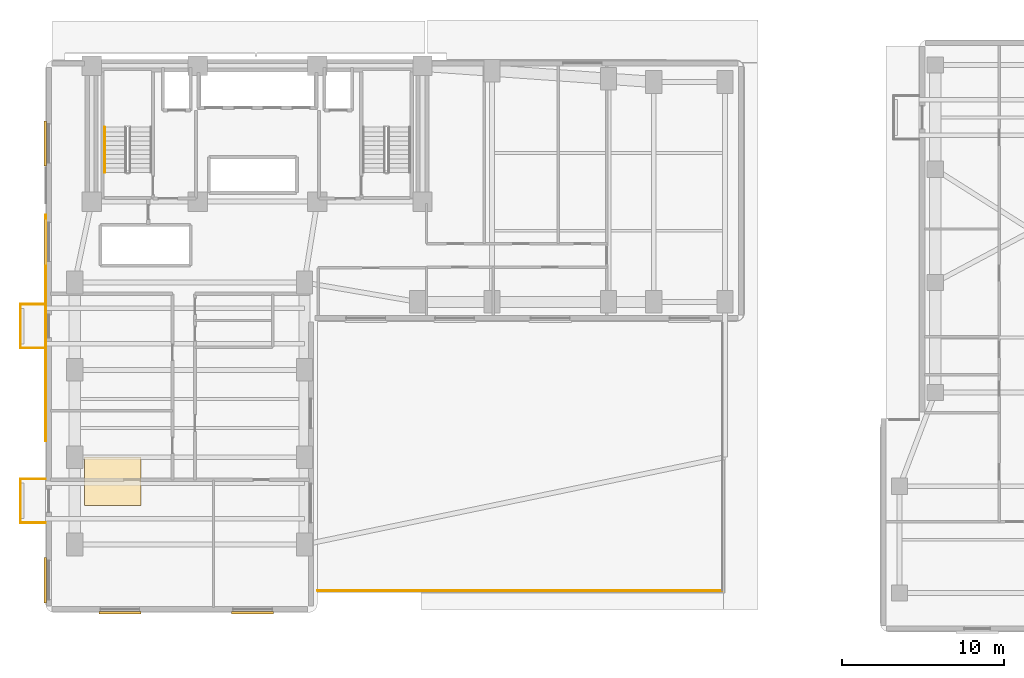
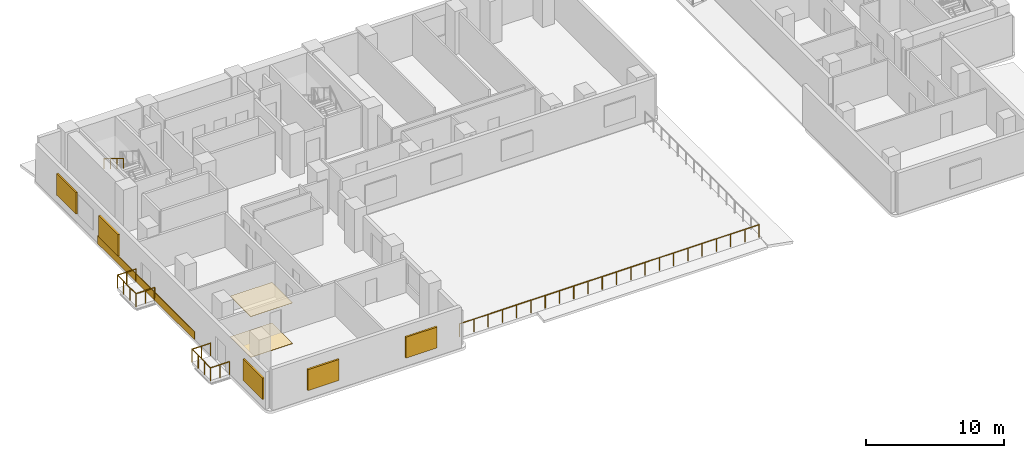
# One storey, part 7 of 10: 8 railings, 5 shading devices, 3 coverings.
"""IFC4 building model written with IfcOpenShell, lengths in metres."""

from ifc_helpers import new_model, si_unit, direction, frame, origin, origin_2d, place, context, subcontext, project, spatial, polyline, rectangle, circle, outline, extrude, material, layer, layer_set, type_object, element, save


model = new_model("IFC4")

# Units and contexts
model_context = context("Model", 3, precision=1e-05, world=origin(), true_north=direction((0.0, 1.0)))
body_context = subcontext(model_context, "Body", "Model", "MODEL_VIEW")
ifc_project = project(units=[si_unit("LENGTHUNIT", "METRE"), si_unit("AREAUNIT", "SQUARE_METRE"), si_unit("VOLUMEUNIT", "CUBIC_METRE"), si_unit("PLANEANGLEUNIT", "RADIAN"), si_unit("MASSUNIT", "GRAM", prefix="KILO")], contexts=[model_context])

# Site, building, storey
site_placement = place(None, origin())
site = spatial("IfcSite", under=ifc_project, at=site_placement, CompositionType="ELEMENT")
building_placement = place(site_placement, origin())
building = spatial("IfcBuilding", under=site, at=building_placement, Name="Kuzgunbayir Cultural Tower", CompositionType="ELEMENT")
storey_placement = place(building_placement, frame((0.0, 0.0, 26.39990234375)))
storey = spatial("IfcBuildingStorey", under=building, at=storey_placement, Name="L06", CompositionType="ELEMENT", Elevation=26.39990234375)

# Coverings
ifc_material_1 = material(Name="Perforated Gypsum Acoustic Tile", Category="gypsum")
ifc_layer_1 = layer(ifc_material_1, 0.02490234375)
ifc_layer_set_1 = layer_set([ifc_layer_1], Name="Perforated Gypsum Acoustic Tile")
covering_type_1 = type_object("IfcCoveringType", Name="COV-CEIL-ACOUSTIC", PredefinedType="CEILING", material=ifc_layer_set_1)
covering_1_placement = place(storey_placement, frame((0.0, 0.0, 3.60009765625)))
element("IfcCovering", 1, at=covering_1_placement, inside=storey, type_object=covering_type_1, Name="L06 Acoustic Soffit Ceiling", PredefinedType="CEILING", context=body_context, shape_type="SweptSolid", body=[
    extrude(outline(polyline([(6.0, 15.0), (9.5, 15.0), (9.5, 18.0), (6.0, 18.0), (6.0, 15.0)])), origin(), (0.0, 0.0, 1.0), 0.02001953125),
])
ifc_material_2 = material(Name="Anatolian Cream Limestone", Category="masonry")
ifc_layer_2 = layer(ifc_material_2, 0.06005859375)
ifc_layer_set_2 = layer_set([ifc_layer_2], Name="Anatolian Cream Limestone")
covering_type_2 = type_object("IfcCoveringType", Name="COV-CLAD-LIMESTONE-6", PredefinedType="CLADDING", material=ifc_layer_set_2)
covering_2_placement = place(storey_placement, frame((3.6201171875, 26.0, 0.0), z_axis=(0.0, 0.0, 1.0), x_axis=(1.0, 0.0, 0.0)))
element("IfcCovering", 2, at=covering_2_placement, inside=storey, type_object=covering_type_2, Name="L06 Architectural Spandrel Cladding Band", PredefinedType="CLADDING", context=body_context, shape_type="SweptSolid", body=[
    extrude(rectangle(XDim=0.06005859375, YDim=14.0, at=origin_2d()), origin(), (0.0, 0.0, 1.0), 0.699951171875),
])
ifc_material_3 = material(Name="Honed Anatolian Marble Terrazzo", Category="masonry")
ifc_layer_3 = layer(ifc_material_3, 0.030029296875)
ifc_layer_set_3 = layer_set([ifc_layer_3], Name="Honed Anatolian Marble Terrazzo")
covering_type_3 = type_object("IfcCoveringType", Name="COV-FLOOR-TERRAZZO", PredefinedType="FLOORING", material=ifc_layer_set_3)
covering_3_placement = place(storey_placement, origin())
element("IfcCovering", 3, at=covering_3_placement, inside=storey, type_object=covering_type_3, Name="L06 Acoustic Floor Finish", PredefinedType="FLOORING", context=body_context, shape_type="SweptSolid", body=[
    extrude(outline(polyline([(6.0, 15.0), (9.5, 15.0), (9.5, 18.0), (6.0, 18.0), (6.0, 15.0)])), origin(), (0.0, 0.0, 1.0), 0.030029296875),
])

# Railings
ifc_material_4 = material(Name="Laminated Glass and Stainless Steel", Category="steel")
ifc_layer_4 = layer(ifc_material_4, 0.080078125)
ifc_layer_set_4 = layer_set([ifc_layer_4], Name="Laminated Glass and Stainless Steel")
railing_type_1 = type_object("IfcRailingType", Name="RLG-BAL-115", PredefinedType="BALUSTRADE", material=ifc_layer_set_4)
railing_1_placement = place(storey_placement, frame((3.60009765625, 13.949951171875, 0.0)))
element("IfcRailing", 4, at=railing_1_placement, inside=storey, type_object=railing_type_1, Name="L06 Balcony Guard BAL-L06-WA1 Segment 1", PredefinedType="BALUSTRADE", context=body_context, shape_type="SweptSolid", body=[
    extrude(circle(Radius=0.02392578125, at=origin_2d()), frame((0.0, 0.0, 1.1259765625), z_axis=(-1.0, 0.0, 0.0), x_axis=(0.0, -1.0, 0.0)), (0.0, 0.0, 1.0), 1.56005859375),
    extrude(circle(Radius=0.02099609375, at=origin_2d()), origin(), (0.0, 0.0, 1.0), 1.101806640625),
    extrude(circle(Radius=0.02099609375, at=origin_2d()), frame((-0.780029296875, 0.0, 0.0)), (0.0, 0.0, 1.0), 1.101806640625),
    extrude(circle(Radius=0.02099609375, at=origin_2d()), frame((-1.56005859375, 0.0, 0.0)), (0.0, 0.0, 1.0), 1.101806640625),
])
railing_2_placement = place(storey_placement, frame((2.0400390625, 13.949951171875, 0.0)))
element("IfcRailing", 5, at=railing_2_placement, inside=storey, type_object=railing_type_1, Name="L06 Balcony Guard BAL-L06-WA1 Segment 2", PredefinedType="BALUSTRADE", context=body_context, shape_type="SweptSolid", body=[
    extrude(circle(Radius=0.02392578125, at=origin_2d()), frame((0.0, 0.0, 1.1259765625), z_axis=(0.0, 1.0, 0.0), x_axis=(-1.0, 0.0, 0.0)), (0.0, 0.0, 1.0), 2.699951171875),
    extrude(circle(Radius=0.02099609375, at=origin_2d()), origin(), (0.0, 0.0, 1.0), 1.101806640625),
    extrude(circle(Radius=0.02099609375, at=origin_2d()), frame((0.0, 0.89990234375, 0.0)), (0.0, 0.0, 1.0), 1.101806640625),
    extrude(circle(Radius=0.02099609375, at=origin_2d()), frame((0.0, 1.800048828125, 0.0)), (0.0, 0.0, 1.0), 1.101806640625),
    extrude(circle(Radius=0.02099609375, at=origin_2d()), frame((0.0, 2.699951171875, 0.0)), (0.0, 0.0, 1.0), 1.101806640625),
])
railing_3_placement = place(storey_placement, frame((2.0400390625, 16.64990234375, 0.0)))
element("IfcRailing", 6, at=railing_3_placement, inside=storey, type_object=railing_type_1, Name="L06 Balcony Guard BAL-L06-WA1 Segment 3", PredefinedType="BALUSTRADE", context=body_context, shape_type="SweptSolid", body=[
    extrude(circle(Radius=0.02392578125, at=origin_2d()), frame((0.0, 0.0, 1.1259765625), z_axis=(1.0, 0.0, 0.0), x_axis=(0.0, 1.0, 0.0)), (0.0, 0.0, 1.0), 1.56005859375),
    extrude(circle(Radius=0.02099609375, at=origin_2d()), origin(), (0.0, 0.0, 1.0), 1.101806640625),
    extrude(circle(Radius=0.02099609375, at=origin_2d()), frame((0.780029296875, 0.0, 0.0)), (0.0, 0.0, 1.0), 1.101806640625),
    extrude(circle(Radius=0.02099609375, at=origin_2d()), frame((1.56005859375, 0.0, 0.0)), (0.0, 0.0, 1.0), 1.101806640625),
])
railing_4_placement = place(storey_placement, frame((3.60009765625, 24.75, 0.0)))
element("IfcRailing", 7, at=railing_4_placement, inside=storey, type_object=railing_type_1, Name="L06 Balcony Guard BAL-L06-WA3 Segment 1", PredefinedType="BALUSTRADE", context=body_context, shape_type="SweptSolid", body=[
    extrude(circle(Radius=0.02392578125, at=origin_2d()), frame((0.0, 0.0, 1.1259765625), z_axis=(-1.0, 0.0, 0.0), x_axis=(0.0, -1.0, 0.0)), (0.0, 0.0, 1.0), 1.56005859375),
    extrude(circle(Radius=0.02099609375, at=origin_2d()), origin(), (0.0, 0.0, 1.0), 1.101806640625),
    extrude(circle(Radius=0.02099609375, at=origin_2d()), frame((-0.780029296875, 0.0, 0.0)), (0.0, 0.0, 1.0), 1.101806640625),
    extrude(circle(Radius=0.02099609375, at=origin_2d()), frame((-1.56005859375, 0.0, 0.0)), (0.0, 0.0, 1.0), 1.101806640625),
])
railing_5_placement = place(storey_placement, frame((2.0400390625, 24.75, 0.0)))
element("IfcRailing", 8, at=railing_5_placement, inside=storey, type_object=railing_type_1, Name="L06 Balcony Guard BAL-L06-WA3 Segment 2", PredefinedType="BALUSTRADE", context=body_context, shape_type="SweptSolid", body=[
    extrude(circle(Radius=0.02392578125, at=origin_2d()), frame((0.0, 0.0, 1.1259765625), z_axis=(0.0, 1.0, 0.0), x_axis=(-1.0, 0.0, 0.0)), (0.0, 0.0, 1.0), 2.699951171875),
    extrude(circle(Radius=0.02099609375, at=origin_2d()), origin(), (0.0, 0.0, 1.0), 1.101806640625),
    extrude(circle(Radius=0.02099609375, at=origin_2d()), frame((0.0, 0.89990234375, 0.0)), (0.0, 0.0, 1.0), 1.101806640625),
    extrude(circle(Radius=0.02099609375, at=origin_2d()), frame((0.0, 1.800048828125, 0.0)), (0.0, 0.0, 1.0), 1.101806640625),
    extrude(circle(Radius=0.02099609375, at=origin_2d()), frame((0.0, 2.699951171875, 0.0)), (0.0, 0.0, 1.0), 1.101806640625),
])
railing_6_placement = place(storey_placement, frame((2.0400390625, 27.449951171875, 0.0)))
element("IfcRailing", 9, at=railing_6_placement, inside=storey, type_object=railing_type_1, Name="L06 Balcony Guard BAL-L06-WA3 Segment 3", PredefinedType="BALUSTRADE", context=body_context, shape_type="SweptSolid", body=[
    extrude(circle(Radius=0.02392578125, at=origin_2d()), frame((0.0, 0.0, 1.1259765625), z_axis=(1.0, 0.0, 0.0), x_axis=(0.0, 1.0, 0.0)), (0.0, 0.0, 1.0), 1.56005859375),
    extrude(circle(Radius=0.02099609375, at=origin_2d()), origin(), (0.0, 0.0, 1.0), 1.101806640625),
    extrude(circle(Radius=0.02099609375, at=origin_2d()), frame((0.780029296875, 0.0, 0.0)), (0.0, 0.0, 1.0), 1.101806640625),
    extrude(circle(Radius=0.02099609375, at=origin_2d()), frame((1.56005859375, 0.0, 0.0)), (0.0, 0.0, 1.0), 1.101806640625),
])
railing_7_placement = place(storey_placement, frame((20.419921875, 9.75, 0.0)))
element("IfcRailing", 10, at=railing_7_placement, inside=storey, type_object=railing_type_1, Name="L06 Stepped Roof Garden Guard Segment 1", PredefinedType="BALUSTRADE", context=body_context, shape_type="SweptSolid", body=[
    extrude(circle(Radius=0.02392578125, at=origin_2d()), frame((0.0, 0.0, 1.1259765625), z_axis=(1.0, 0.0, 0.0), x_axis=(0.0, 1.0, 0.0)), (0.0, 0.0, 1.0), 25.030029296875),
    extrude(circle(Radius=0.02099609375, at=origin_2d()), origin(), (0.0, 0.0, 1.0), 1.101806640625),
    extrude(circle(Radius=0.02099609375, at=origin_2d()), frame((1.19189453125, 0.0, 0.0)), (0.0, 0.0, 1.0), 1.101806640625),
    extrude(circle(Radius=0.02099609375, at=origin_2d()), frame((2.3837890625, 0.0, 0.0)), (0.0, 0.0, 1.0), 1.101806640625),
    extrude(circle(Radius=0.02099609375, at=origin_2d()), frame((3.57568359375, 0.0, 0.0)), (0.0, 0.0, 1.0), 1.101806640625),
    extrude(circle(Radius=0.02099609375, at=origin_2d()), frame((4.767578125, 0.0, 0.0)), (0.0, 0.0, 1.0), 1.101806640625),
    extrude(circle(Radius=0.02099609375, at=origin_2d()), frame((5.95947265625, 0.0, 0.0)), (0.0, 0.0, 1.0), 1.101806640625),
    extrude(circle(Radius=0.02099609375, at=origin_2d()), frame((7.1513671875, 0.0, 0.0)), (0.0, 0.0, 1.0), 1.101806640625),
    extrude(circle(Radius=0.02099609375, at=origin_2d()), frame((8.34326171875, 0.0, 0.0)), (0.0, 0.0, 1.0), 1.101806640625),
    extrude(circle(Radius=0.02099609375, at=origin_2d()), frame((9.53515625, 0.0, 0.0)), (0.0, 0.0, 1.0), 1.101806640625),
    extrude(circle(Radius=0.02099609375, at=origin_2d()), frame((10.72705078125, 0.0, 0.0)), (0.0, 0.0, 1.0), 1.101806640625),
    extrude(circle(Radius=0.02099609375, at=origin_2d()), frame((11.9189453125, 0.0, 0.0)), (0.0, 0.0, 1.0), 1.101806640625),
    extrude(circle(Radius=0.02099609375, at=origin_2d()), frame((13.111083984375, 0.0, 0.0)), (0.0, 0.0, 1.0), 1.101806640625),
    extrude(circle(Radius=0.02099609375, at=origin_2d()), frame((14.302978515625, 0.0, 0.0)), (0.0, 0.0, 1.0), 1.101806640625),
    extrude(circle(Radius=0.02099609375, at=origin_2d()), frame((15.494873046875, 0.0, 0.0)), (0.0, 0.0, 1.0), 1.101806640625),
    extrude(circle(Radius=0.02099609375, at=origin_2d()), frame((16.686767578125, 0.0, 0.0)), (0.0, 0.0, 1.0), 1.101806640625),
    extrude(circle(Radius=0.02099609375, at=origin_2d()), frame((17.878662109375, 0.0, 0.0)), (0.0, 0.0, 1.0), 1.101806640625),
    extrude(circle(Radius=0.02099609375, at=origin_2d()), frame((19.070556640625, 0.0, 0.0)), (0.0, 0.0, 1.0), 1.101806640625),
    extrude(circle(Radius=0.02099609375, at=origin_2d()), frame((20.262451171875, 0.0, 0.0)), (0.0, 0.0, 1.0), 1.101806640625),
    extrude(circle(Radius=0.02099609375, at=origin_2d()), frame((21.454345703125, 0.0, 0.0)), (0.0, 0.0, 1.0), 1.101806640625),
    extrude(circle(Radius=0.02099609375, at=origin_2d()), frame((22.646240234375, 0.0, 0.0)), (0.0, 0.0, 1.0), 1.101806640625),
    extrude(circle(Radius=0.02099609375, at=origin_2d()), frame((23.838134765625, 0.0, 0.0)), (0.0, 0.0, 1.0), 1.101806640625),
    extrude(circle(Radius=0.02099609375, at=origin_2d()), frame((25.030029296875, 0.0, 0.0)), (0.0, 0.0, 1.0), 1.101806640625),
])
ifc_material_5 = material(Name="Brushed Stainless Steel", Category="steel")
ifc_layer_5 = layer(ifc_material_5, 0.050048828125)
ifc_layer_set_5 = layer_set([ifc_layer_5], Name="Brushed Stainless Steel")
railing_type_2 = type_object("IfcRailingType", Name="RLG-STAIR-HANDRAIL", PredefinedType="HANDRAIL", material=ifc_layer_set_5)
railing_8_placement = place(storey_placement, frame((7.25, 38.39990234375, 2.07275390625)))
element("IfcRailing", 11, at=railing_8_placement, inside=storey, type_object=railing_type_2, Name="L06 ST-1 stair handrail 2", PredefinedType="HANDRAIL", context=body_context, shape_type="SweptSolid", body=[
    extrude(circle(Radius=0.02392578125, at=origin_2d()), frame((0.0, 0.0, 0.8759765625), z_axis=(0.0, -0.851069175582, 0.525053576669), x_axis=(1.0, 0.0, 0.0)), (0.0, 0.0, 1.0), 3.289794921875),
    extrude(circle(Radius=0.02099609375, at=origin_2d()), origin(), (0.0, 0.0, 1.0), 0.851806640625),
    extrude(circle(Radius=0.02099609375, at=origin_2d()), frame((0.0, -0.933349609375, 0.57568359375)), (0.0, 0.0, 1.0), 0.851806640625),
    extrude(circle(Radius=0.02099609375, at=origin_2d()), frame((0.0, -1.866455078125, 1.151611328125)), (0.0, 0.0, 1.0), 0.851806640625),
    extrude(circle(Radius=0.02099609375, at=origin_2d()), frame((0.0, -2.7998046875, 1.727294921875)), (0.0, 0.0, 1.0), 0.851806640625),
])

# Shading devices
ifc_material_6 = material(Name="Perforated Bronze-Anodised Aluminium", Category="aluminium")
shading_device_type_1 = type_object("IfcShadingDeviceType", Name="SHD-SOLAR-BRONZE", PredefinedType="JALOUSIE", material=ifc_material_6)
for number, where, z_axis, x_axis, name in (
    (12, (3.580078125, 10.39990234375, 0.800048828125), (0.0, 0.0, 1.0), (1.0, 0.0, 0.0), "L06 Perforated Bronze Solar Screen WAW2"),
    (13, (3.580078125, 31.300048828125, 0.800048828125), (0.0, 0.0, 1.0), (1.0, 0.0, 0.0), "L06 Perforated Bronze Solar Screen WAW3"),
    (14, (3.580078125, 37.39990234375, 0.800048828125), (0.0, 0.0, 1.0), (1.0, 0.0, 0.0), "L06 Perforated Bronze Solar Screen WAW4"),
):
    element("IfcShadingDevice", number, at=place(storey_placement, frame(where, z_axis=z_axis, x_axis=x_axis)), inside=storey, type_object=shading_device_type_1, Name=name, PredefinedType="JALOUSIE", context=body_context, shape_type="SweptSolid", body=[
        extrude(rectangle(XDim=0.139892578125, YDim=2.800048828125, at=origin_2d()), origin(), (0.0, 0.0, 1.0), 1.89990234375),
    ])
ifc_material_7 = material(Name="Warm Terracotta Ceramic Baguette", Category="masonry")
shading_device_type_2 = type_object("IfcShadingDeviceType", Name="SHD-SOLAR-CERAMIC", PredefinedType="SHUTTER", material=ifc_material_7)
for number, where, z_axis, x_axis, name in (
    (15, (8.199951171875, 8.3798828125, 0.824951171875), (0.0, 0.0, 1.0), (1.0, 0.0, 0.0), "L06 Solar Screen WAS6"),
    (16, (16.39990234375, 8.3798828125, 0.824951171875), (0.0, 0.0, 1.0), (1.0, 0.0, 0.0), "L06 Solar Screen WAS7"),
):
    element("IfcShadingDevice", number, at=place(storey_placement, frame(where, z_axis=z_axis, x_axis=x_axis)), inside=storey, type_object=shading_device_type_2, Name=name, PredefinedType="SHUTTER", context=body_context, shape_type="SweptSolid", body=[
        extrude(rectangle(XDim=2.60009765625, YDim=0.159912109375, at=origin_2d()), origin(), (0.0, 0.0, 1.0), 1.85009765625),
    ])

save(model, "model.ifc")
